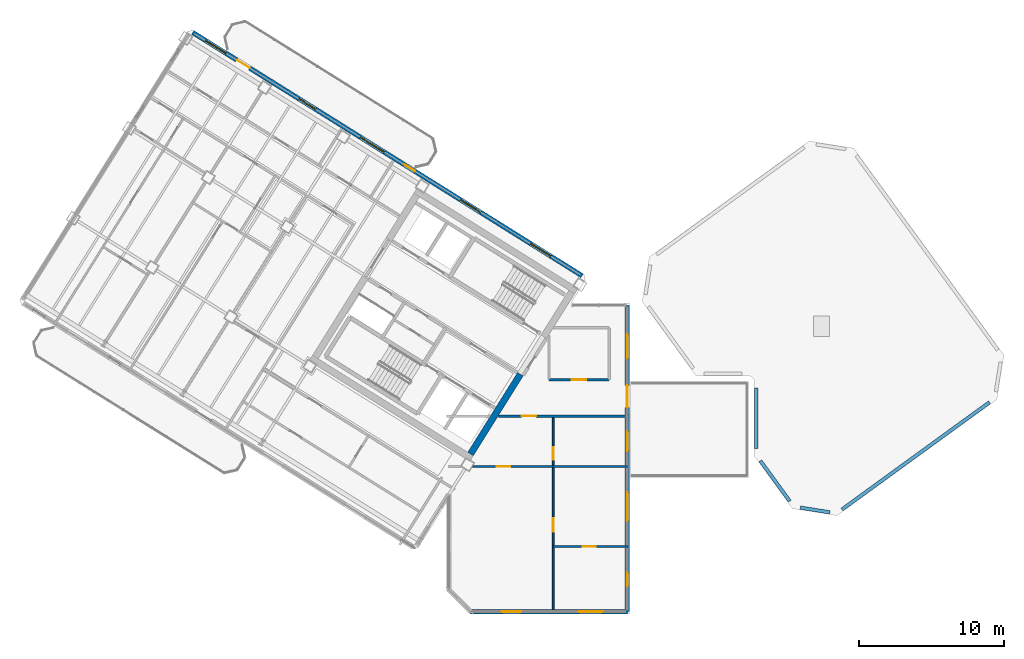
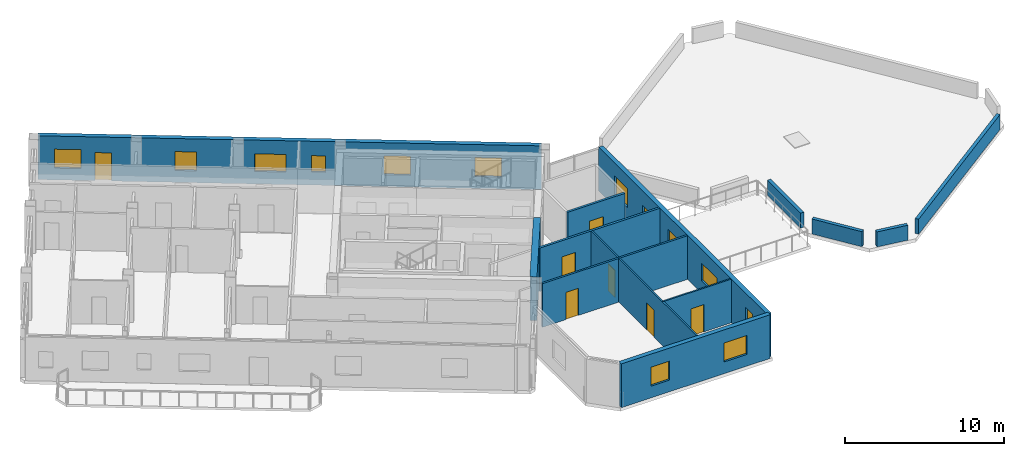
# One storey, part 7 of 14: 14 walls, 12 windows, 8 doors, 20 openings.
"""IFC4 building model written with IfcOpenShell, lengths in metres."""

from ifc_helpers import new_model, si_unit, direction, frame, frame_2d, origin, place, context, subcontext, project, spatial, rectangle, extrude, source, transform, mapped, material, layer, layer_set, type_object, element, fill, save


model = new_model("IFC4")

# Units and contexts
model_context = context("Model", 3, precision=1e-05, world=origin(), true_north=direction((0.0, 1.0)))
body_context = subcontext(model_context, "Body", "Model", "MODEL_VIEW")
ifc_project = project(units=[si_unit("LENGTHUNIT", "METRE"), si_unit("AREAUNIT", "SQUARE_METRE"), si_unit("VOLUMEUNIT", "CUBIC_METRE"), si_unit("PLANEANGLEUNIT", "RADIAN"), si_unit("MASSUNIT", "GRAM", prefix="KILO")], contexts=[model_context])

# Site, building, storey
site_placement = place(None, origin())
site = spatial("IfcSite", under=ifc_project, at=site_placement, CompositionType="ELEMENT")
building_placement = place(site_placement, origin())
building = spatial("IfcBuilding", under=site, at=building_placement, Name="Tlacorven Tower", CompositionType="ELEMENT")
storey_placement = place(building_placement, frame((0.0, 0.0, 262.800048828125)))
storey = spatial("IfcBuildingStorey", under=building, at=storey_placement, Name="L66", CompositionType="ELEMENT", Elevation=262.800048828125)

# Wall
ifc_material_1 = material(Name="Concrete C50/60", Category="concrete")
ifc_layer_1 = layer(ifc_material_1, 0.449951171875)
ifc_layer_set_1 = layer_set([ifc_layer_1], Name="Concrete C50/60")
wall_type_1 = type_object("IfcWallType", Name="WL-COR-450", PredefinedType="SHEAR", material=ifc_layer_set_1)
wall_1_placement = place(storey_placement, frame((36.683349609375, 18.30419921875, 0.0), z_axis=(0.0, 0.0, 1.0), x_axis=(-0.529904039071, -0.848057609704, 0.0)))
element("IfcWall", 1, at=wall_1_placement, inside=storey, type_object=wall_type_1, Name="L66 W core end wall E1.2", PredefinedType="SHEAR", context=body_context, shape_type="SweptSolid", body=[
    extrude(rectangle(XDim=6.47509765625, YDim=0.449951171875, at=frame_2d((3.237548828125, 0.0))), origin(), (0.0, 0.0, 1.0), 3.349853515625),
])

# Wall, opening, door
ifc_material_2 = material(Name="Gypsum plasterboard acoustic partition", Category="gypsum")
ifc_layer_2 = layer(ifc_material_2, 0.159912109375)
ifc_layer_set_2 = layer_set([ifc_layer_2], Name="Gypsum plasterboard acoustic partition")
wall_type_2 = type_object("IfcWallType", Name="WL-DEM-160", PredefinedType="PARTITIONING", material=ifc_layer_set_2)
wall_2_placement = place(storey_placement, frame((35.178466796875, 15.419921875, 0.0), z_axis=(0.0, 0.0, 1.0), x_axis=(1.0, 0.0, 0.0)))
wall_2 = element("IfcWall", 2, at=wall_2_placement, inside=storey, type_object=wall_type_2, Name="L66 Knuckle Corridor South Wall", PredefinedType="PARTITIONING", context=body_context, shape_type="SweptSolid", body=[
    extrude(rectangle(XDim=9.021484375, YDim=0.159912109375, at=frame_2d((4.5107421875, 0.0))), origin(), (0.0, 0.0, 1.0), 3.33984375),
])
opening_1_placement = place(wall_2_placement, frame((1.593505859375, 0.0, 0.0)))
opening_1 = element("IfcOpeningElement", 3, at=opening_1_placement, cuts=wall_2, Name="Opening D11", PredefinedType="OPENING", context=body_context, shape_type="SweptSolid", body=[
    extrude(rectangle(XDim=1.0, YDim=2.10009765625, at=frame_2d((0.5, 1.050048828125))), frame((0.0, 0.08984375, 0.0), z_axis=(0.0, -1.0, 0.0), x_axis=(1.0, 0.0, 0.0)), (0.0, 0.0, 1.0), 0.179931640625),
])
ifc_material_3 = material(Name="Fire-rated steel door assembly", Category="steel")
door_type_1 = type_object("IfcDoorType", Name="DR-FLT-FD60-1000", OperationType="NOTDEFINED", PredefinedType="DOOR", material=ifc_material_3)
shared_shape_1 = source(origin(), body_context, "Body", "SweptSolid", [
    extrude(rectangle(XDim=1.0, YDim=2.10009765625, at=frame_2d((0.5, 1.050048828125))), frame((0.0, 0.02490234375, 0.0), z_axis=(0.0, -1.0, 0.0), x_axis=(1.0, 0.0, 0.0)), (0.0, 0.0, 1.0), 0.050048828125),
])
door_1_placement = place(opening_1_placement, frame((1.0, 0.0, 0.0), z_axis=(0.0, 0.0, 1.0), x_axis=(-1.0, 0.0, 0.0)))
door_1 = element("IfcDoor", 4, at=door_1_placement, inside=storey, type_object=door_type_1, Name="L66 door 034", OperationType="SINGLE_SWING_LEFT", OverallHeight=2.10009765625, OverallWidth=1.0, PredefinedType="DOOR", context=body_context, shape_type="MappedRepresentation", body=[
    mapped(shared_shape_1, transform((0.0, 0.0, 0.0), scale=1.0)),
])
fill(opening_1, door_1)

wall_3_placement = place(storey_placement, frame((38.64990234375, 17.929931640625, 0.0), z_axis=(0.0, 0.0, 1.0), x_axis=(1.0, 0.0, 0.0)))
wall_3 = element("IfcWall", 5, at=wall_3_placement, inside=storey, type_object=wall_type_2, Name="L66 partition 45", PredefinedType="PARTITIONING", context=body_context, shape_type="SweptSolid", body=[
    extrude(rectangle(XDim=4.150146484375, YDim=0.159912109375, at=frame_2d((2.0751953125, 0.0))), origin(), (0.0, 0.0, 1.0), 3.33984375),
])
opening_2_placement = place(wall_3_placement, frame((1.574951171875, 0.0, 0.0)))
opening_2 = element("IfcOpeningElement", 6, at=opening_2_placement, cuts=wall_3, Name="Opening D11", PredefinedType="OPENING", context=body_context, shape_type="SweptSolid", body=[
    extrude(rectangle(XDim=1.0, YDim=2.10009765625, at=frame_2d((0.5, 1.050048828125))), frame((0.0, 0.08984375, 0.0), z_axis=(0.0, -1.0, 0.0), x_axis=(1.0, 0.0, 0.0)), (0.0, 0.0, 1.0), 0.179931640625),
])
door_2_placement = place(opening_2_placement, origin())
door_2 = element("IfcDoor", 7, at=door_2_placement, inside=storey, type_object=door_type_1, Name="L66 door 030", OperationType="SINGLE_SWING_RIGHT", OverallHeight=2.10009765625, OverallWidth=1.0, PredefinedType="DOOR", context=body_context, shape_type="MappedRepresentation", body=[
    mapped(shared_shape_1, transform((0.0, 0.0, 0.0), scale=1.0)),
])
fill(opening_2, door_2)

# Wall, openings, windows, door
ifc_material_4 = material(Name="Precast concrete C45/55", Category="concrete")
ifc_layer_3 = layer(ifc_material_4, 0.320068359375)
ifc_layer_set_3 = layer_set([ifc_layer_3], Name="Precast concrete C45/55")
wall_type_3 = type_object("IfcWallType", Name="WL-EXT-320", PredefinedType="STANDARD", material=ifc_layer_set_3)
wall_4_placement = place(storey_placement, frame((44.0400390625, 23.0400390625, 0.0), z_axis=(0.0, 0.0, 1.0), x_axis=(0.0, -1.0, 0.0)))
wall_4 = element("IfcWall", 8, at=wall_4_placement, inside=storey, type_object=wall_type_3, Name="L66 Masonry-Frame Recessed Facade Wall 1", PredefinedType="STANDARD", context=body_context, shape_type="SweptSolid", body=[
    extrude(rectangle(XDim=21.080078125, YDim=0.320068359375, at=frame_2d((10.5400390625, 0.0))), origin(), (0.0, 0.0, 1.0), 3.349853515625),
])
opening_3_placement = place(wall_4_placement, frame((5.510009765625, 0.0, 0.0)))
opening_3 = element("IfcOpeningElement", 9, at=opening_3_placement, cuts=wall_4, Name="Opening D04", PredefinedType="OPENING", context=body_context, shape_type="SweptSolid", body=[
    extrude(rectangle(XDim=1.5, YDim=2.25, at=frame_2d((0.75, 1.125))), frame((0.0, 0.169921875, 0.0), z_axis=(0.0, -1.0, 0.0), x_axis=(1.0, 0.0, 0.0)), (0.0, 0.0, 1.0), 0.340087890625),
])
opening_4_placement = place(wall_4_placement, frame((1.9951171875, 0.0, 0.89990234375)))
opening_4 = element("IfcOpeningElement", 10, at=opening_4_placement, cuts=wall_4, Name="Opening WN07", PredefinedType="OPENING", context=body_context, shape_type="SweptSolid", body=[
    extrude(rectangle(XDim=1.64990234375, YDim=1.449951171875, at=frame_2d((0.824951171875, 0.72509765625))), frame((0.0, 0.169921875, 0.0), z_axis=(0.0, -1.0, 0.0), x_axis=(1.0, 0.0, 0.0)), (0.0, 0.0, 1.0), 0.340087890625),
])
opening_5_placement = place(wall_4_placement, frame((8.68505859375, 0.0, 0.89990234375)))
opening_5 = element("IfcOpeningElement", 11, at=opening_5_placement, cuts=wall_4, Name="Opening WN08", PredefinedType="OPENING", context=body_context, shape_type="SweptSolid", body=[
    extrude(rectangle(XDim=1.35009765625, YDim=1.449951171875, at=frame_2d((0.675048828125, 0.72509765625))), frame((0.0, 0.169921875, 0.0), z_axis=(0.0, -1.0, 0.0), x_axis=(1.0, 0.0, 0.0)), (0.0, 0.0, 1.0), 0.340087890625),
])
opening_6_placement = place(wall_4_placement, frame((12.87255859375, 0.0, 0.949951171875)))
opening_6 = element("IfcOpeningElement", 12, at=opening_6_placement, cuts=wall_4, Name="Opening WN09", PredefinedType="OPENING", context=body_context, shape_type="SweptSolid", body=[
    extrude(rectangle(XDim=1.949951171875, YDim=1.35009765625, at=frame_2d((0.97509765625, 0.675048828125))), frame((0.0, 0.169921875, 0.0), z_axis=(0.0, -1.0, 0.0), x_axis=(1.0, 0.0, 0.0)), (0.0, 0.0, 1.0), 0.340087890625),
])
opening_7_placement = place(wall_4_placement, frame((18.41259765625, 0.0, 1.0)))
opening_7 = element("IfcOpeningElement", 13, at=opening_7_placement, cuts=wall_4, Name="Opening WN05", PredefinedType="OPENING", context=body_context, shape_type="SweptSolid", body=[
    extrude(rectangle(XDim=0.89990234375, YDim=1.25, at=frame_2d((0.449951171875, 0.625))), frame((0.0, 0.169921875, 0.0), z_axis=(0.0, -1.0, 0.0), x_axis=(1.0, 0.0, 0.0)), (0.0, 0.0, 1.0), 0.340087890625),
])
ifc_material_5 = material(Name="Dark solar low-E double glazing in anodised aluminium frame", Category="aluminium")
window_type_1 = type_object("IfcWindowType", Name="WN-APT-0900X1350", PartitioningType="SINGLE_PANEL", PredefinedType="WINDOW", material=ifc_material_5)
shared_shape_2 = source(origin(), body_context, "Body", "SweptSolid", [
    extrude(rectangle(XDim=0.89990234375, YDim=1.25, at=frame_2d((0.449951171875, 0.625))), frame((0.0, 0.030029296875, 0.0), z_axis=(0.0, -1.0, 0.0), x_axis=(1.0, 0.0, 0.0)), (0.0, 0.0, 1.0), 0.06005859375),
])
window_1_placement = place(opening_7_placement, origin())
window_1 = element("IfcWindow", 14, at=window_1_placement, inside=storey, type_object=window_type_1, Name="L66 Recessed Masonry-Frame Window L66-01.4", OverallHeight=1.25, OverallWidth=0.89990234375, PartitioningType="SINGLE_PANEL", PredefinedType="WINDOW", context=body_context, shape_type="MappedRepresentation", body=[
    mapped(shared_shape_2, transform((0.0, 0.0, 0.0), scale=1.0)),
])
fill(opening_7, window_1)
ifc_material_6 = material(Name="Powder-coated aluminium and timber door", Category="wood")
door_type_2 = type_object("IfcDoorType", Name="DR-EXT-TERR-1500", OperationType="DOUBLE_DOOR_SINGLE_SWING", PredefinedType="DOOR", material=ifc_material_6)
shared_shape_3 = source(origin(), body_context, "Body", "SweptSolid", [
    extrude(rectangle(XDim=1.5, YDim=2.25, at=frame_2d((0.75, 1.125))), frame((0.0, 0.02490234375, 0.0), z_axis=(0.0, -1.0, 0.0), x_axis=(1.0, 0.0, 0.0)), (0.0, 0.0, 1.0), 0.050048828125),
])
door_3_placement = place(opening_3_placement, origin())
door_3 = element("IfcDoor", 15, at=door_3_placement, inside=storey, type_object=door_type_2, Name="L66 Outdoor Access Door TER-L66-EW", OperationType="DOUBLE_DOOR_SINGLE_SWING", OverallHeight=2.25, OverallWidth=1.5, PredefinedType="DOOR", context=body_context, shape_type="MappedRepresentation", body=[
    mapped(shared_shape_3, transform((0.0, 0.0, 0.0), scale=1.0)),
])
fill(opening_3, door_3)
window_type_2 = type_object("IfcWindowType", Name="WN-APT-1650X1600", PartitioningType="SINGLE_PANEL", PredefinedType="WINDOW", material=ifc_material_5)
shared_shape_4 = source(origin(), body_context, "Body", "SweptSolid", [
    extrude(rectangle(XDim=1.64990234375, YDim=1.449951171875, at=frame_2d((0.824951171875, 0.72509765625))), frame((0.0, 0.030029296875, 0.0), z_axis=(0.0, -1.0, 0.0), x_axis=(1.0, 0.0, 0.0)), (0.0, 0.0, 1.0), 0.06005859375),
])
window_2_placement = place(opening_4_placement, origin())
window_2 = element("IfcWindow", 16, at=window_2_placement, inside=storey, type_object=window_type_2, Name="L66 Recessed Masonry-Frame Window L66-01.1", OverallHeight=1.449951171875, OverallWidth=1.64990234375, PartitioningType="SINGLE_PANEL", PredefinedType="WINDOW", context=body_context, shape_type="MappedRepresentation", body=[
    mapped(shared_shape_4, transform((0.0, 0.0, 0.0), scale=1.0)),
])
fill(opening_4, window_2)
window_type_3 = type_object("IfcWindowType", Name="WN-APT-1350X1550", PartitioningType="SINGLE_PANEL", PredefinedType="WINDOW", material=ifc_material_5)
shared_shape_5 = source(origin(), body_context, "Body", "SweptSolid", [
    extrude(rectangle(XDim=1.35009765625, YDim=1.449951171875, at=frame_2d((0.675048828125, 0.72509765625))), frame((0.0, 0.030029296875, 0.0), z_axis=(0.0, -1.0, 0.0), x_axis=(1.0, 0.0, 0.0)), (0.0, 0.0, 1.0), 0.06005859375),
])
window_3_placement = place(opening_5_placement, origin())
window_3 = element("IfcWindow", 17, at=window_3_placement, inside=storey, type_object=window_type_3, Name="L66 Recessed Masonry-Frame Window L66-01.2", OverallHeight=1.449951171875, OverallWidth=1.35009765625, PartitioningType="SINGLE_PANEL", PredefinedType="WINDOW", context=body_context, shape_type="MappedRepresentation", body=[
    mapped(shared_shape_5, transform((0.0, 0.0, 0.0), scale=1.0)),
])
fill(opening_5, window_3)
window_type_4 = type_object("IfcWindowType", Name="WN-GAL-1950X1450", PartitioningType="SINGLE_PANEL", PredefinedType="WINDOW", material=ifc_material_5)
shared_shape_6 = source(origin(), body_context, "Body", "SweptSolid", [
    extrude(rectangle(XDim=1.949951171875, YDim=1.35009765625, at=frame_2d((0.97509765625, 0.675048828125))), frame((0.0, 0.030029296875, 0.0), z_axis=(0.0, -1.0, 0.0), x_axis=(1.0, 0.0, 0.0)), (0.0, 0.0, 1.0), 0.06005859375),
])
window_4_placement = place(opening_6_placement, origin())
window_4 = element("IfcWindow", 18, at=window_4_placement, inside=storey, type_object=window_type_4, Name="L66 Recessed Masonry-Frame Window L66-01.3", OverallHeight=1.35009765625, OverallWidth=1.949951171875, PartitioningType="SINGLE_PANEL", PredefinedType="WINDOW", context=body_context, shape_type="MappedRepresentation", body=[
    mapped(shared_shape_6, transform((0.0, 0.0, 0.0), scale=1.0)),
])
fill(opening_6, window_4)

# Wall, openings, windows
wall_5_placement = place(storey_placement, frame((44.0400390625, 1.9599609375, 0.0), z_axis=(0.0, 0.0, 1.0), x_axis=(-1.0, 0.0, 0.0)))
wall_5 = element("IfcWall", 19, at=wall_5_placement, inside=storey, type_object=wall_type_3, Name="L66 Masonry-Frame Recessed Facade Wall 2", PredefinedType="STANDARD", context=body_context, shape_type="SweptSolid", body=[
    extrude(rectangle(XDim=10.773681640625, YDim=0.320068359375, at=frame_2d((5.38671875, 0.0))), origin(), (0.0, 0.0, 1.0), 3.349853515625),
])
opening_8_placement = place(wall_5_placement, frame((1.695556640625, 0.0, 0.89990234375)))
opening_8 = element("IfcOpeningElement", 20, at=opening_8_placement, cuts=wall_5, Name="Opening WN07", PredefinedType="OPENING", context=body_context, shape_type="SweptSolid", body=[
    extrude(rectangle(XDim=1.64990234375, YDim=1.449951171875, at=frame_2d((0.824951171875, 0.72509765625))), frame((0.0, 0.169921875, 0.0), z_axis=(0.0, -1.0, 0.0), x_axis=(1.0, 0.0, 0.0)), (0.0, 0.0, 1.0), 0.340087890625),
])
opening_9_placement = place(wall_5_placement, frame((7.287353515625, 0.0, 0.89990234375)))
opening_9 = element("IfcOpeningElement", 21, at=opening_9_placement, cuts=wall_5, Name="Opening WN08", PredefinedType="OPENING", context=body_context, shape_type="SweptSolid", body=[
    extrude(rectangle(XDim=1.35009765625, YDim=1.449951171875, at=frame_2d((0.675048828125, 0.72509765625))), frame((0.0, 0.169921875, 0.0), z_axis=(0.0, -1.0, 0.0), x_axis=(1.0, 0.0, 0.0)), (0.0, 0.0, 1.0), 0.340087890625),
])
window_5_placement = place(opening_8_placement, origin())
window_5 = element("IfcWindow", 22, at=window_5_placement, inside=storey, type_object=window_type_2, Name="L66 Recessed Masonry-Frame Window L66-02.1", OverallHeight=1.449951171875, OverallWidth=1.64990234375, PartitioningType="SINGLE_PANEL", PredefinedType="WINDOW", context=body_context, shape_type="MappedRepresentation", body=[
    mapped(shared_shape_4, transform((0.0, 0.0, 0.0), scale=1.0)),
])
fill(opening_8, window_5)
window_6_placement = place(opening_9_placement, origin())
window_6 = element("IfcWindow", 23, at=window_6_placement, inside=storey, type_object=window_type_3, Name="L66 Recessed Masonry-Frame Window L66-02.2", OverallHeight=1.449951171875, OverallWidth=1.35009765625, PartitioningType="SINGLE_PANEL", PredefinedType="WINDOW", context=body_context, shape_type="MappedRepresentation", body=[
    mapped(shared_shape_5, transform((0.0, 0.0, 0.0), scale=1.0)),
])
fill(opening_9, window_6)

# Wall, openings, door, windows
wall_6_placement = place(storey_placement, frame((14.13818359375, 41.825439453125, 0.0), z_axis=(0.0, 0.0, 1.0), x_axis=(0.848046498049, -0.529921821731, 0.0)))
wall_6 = element("IfcWall", 24, at=wall_6_placement, inside=storey, type_object=wall_type_3, Name="L66 Masonry-Frame Recessed Facade Wall 8", PredefinedType="STANDARD", context=body_context, shape_type="SweptSolid", body=[
    extrude(rectangle(XDim=31.587646484375, YDim=0.320068359375, at=frame_2d((15.7939453125, 0.0))), origin(), (0.0, 0.0, 1.0), 3.349853515625),
])
opening_10_placement = place(wall_6_placement, frame((3.568115234375, 0.0, 0.0)))
opening_10 = element("IfcOpeningElement", 25, at=opening_10_placement, cuts=wall_6, Name="Opening D06", PredefinedType="OPENING", context=body_context, shape_type="SweptSolid", body=[
    extrude(rectangle(XDim=1.050048828125, YDim=2.14990234375, at=frame_2d((0.52490234375, 1.074951171875))), frame((0.0, 0.169921875, 0.0), z_axis=(0.0, -1.0, 0.0), x_axis=(1.0, 0.0, 0.0)), (0.0, 0.0, 1.0), 0.340087890625),
])
opening_11_placement = place(wall_6_placement, frame((1.0458984375, 0.0, 0.89990234375)))
opening_11 = element("IfcOpeningElement", 26, at=opening_11_placement, cuts=wall_6, Name="Opening WN07", PredefinedType="OPENING", context=body_context, shape_type="SweptSolid", body=[
    extrude(rectangle(XDim=1.64990234375, YDim=1.449951171875, at=frame_2d((0.824951171875, 0.72509765625))), frame((0.0, 0.169921875, 0.0), z_axis=(0.0, -1.0, 0.0), x_axis=(1.0, 0.0, 0.0)), (0.0, 0.0, 1.0), 0.340087890625),
])
opening_12_placement = place(wall_6_placement, frame((8.610107421875, 0.0, 0.89990234375)))
opening_12 = element("IfcOpeningElement", 27, at=opening_12_placement, cuts=wall_6, Name="Opening WN08", PredefinedType="OPENING", context=body_context, shape_type="SweptSolid", body=[
    extrude(rectangle(XDim=1.35009765625, YDim=1.449951171875, at=frame_2d((0.675048828125, 0.72509765625))), frame((0.0, 0.169921875, 0.0), z_axis=(0.0, -1.0, 0.0), x_axis=(1.0, 0.0, 0.0)), (0.0, 0.0, 1.0), 0.340087890625),
])
opening_13_placement = place(wall_6_placement, frame((13.5986328125, 0.0, 0.949951171875)))
opening_13 = element("IfcOpeningElement", 28, at=opening_13_placement, cuts=wall_6, Name="Opening WN09", PredefinedType="OPENING", context=body_context, shape_type="SweptSolid", body=[
    extrude(rectangle(XDim=1.949951171875, YDim=1.35009765625, at=frame_2d((0.97509765625, 0.675048828125))), frame((0.0, 0.169921875, 0.0), z_axis=(0.0, -1.0, 0.0), x_axis=(1.0, 0.0, 0.0)), (0.0, 0.0, 1.0), 0.340087890625),
])
opening_14_placement = place(wall_6_placement, frame((17.15380859375, 0.0, 1.0)))
opening_14 = element("IfcOpeningElement", 29, at=opening_14_placement, cuts=wall_6, Name="Opening WN05", PredefinedType="OPENING", context=body_context, shape_type="SweptSolid", body=[
    extrude(rectangle(XDim=0.89990234375, YDim=1.25, at=frame_2d((0.449951171875, 0.625))), frame((0.0, 0.169921875, 0.0), z_axis=(0.0, -1.0, 0.0), x_axis=(1.0, 0.0, 0.0)), (0.0, 0.0, 1.0), 0.340087890625),
])
opening_15_placement = place(wall_6_placement, frame((21.71875, 0.0, 0.89990234375)))
opening_15 = element("IfcOpeningElement", 30, at=opening_15_placement, cuts=wall_6, Name="Opening WN07", PredefinedType="OPENING", context=body_context, shape_type="SweptSolid", body=[
    extrude(rectangle(XDim=1.64990234375, YDim=1.449951171875, at=frame_2d((0.824951171875, 0.72509765625))), frame((0.0, 0.169921875, 0.0), z_axis=(0.0, -1.0, 0.0), x_axis=(1.0, 0.0, 0.0)), (0.0, 0.0, 1.0), 0.340087890625),
])
opening_16_placement = place(wall_6_placement, frame((27.418701171875, 0.0, 0.89990234375)))
opening_16 = element("IfcOpeningElement", 31, at=opening_16_placement, cuts=wall_6, Name="Opening WN07", PredefinedType="OPENING", context=body_context, shape_type="SweptSolid", body=[
    extrude(rectangle(XDim=1.64990234375, YDim=1.449951171875, at=frame_2d((0.824951171875, 0.72509765625))), frame((0.0, 0.169921875, 0.0), z_axis=(0.0, -1.0, 0.0), x_axis=(1.0, 0.0, 0.0)), (0.0, 0.0, 1.0), 0.340087890625),
])
door_type_3 = type_object("IfcDoorType", Name="DR-EXT-BALC-1050", OperationType="NOTDEFINED", PredefinedType="DOOR", material=ifc_material_6)
shared_shape_7 = source(origin(), body_context, "Body", "SweptSolid", [
    extrude(rectangle(XDim=1.050048828125, YDim=2.14990234375, at=frame_2d((0.52490234375, 1.074951171875))), frame((0.0, 0.02490234375, 0.0), z_axis=(0.0, -1.0, 0.0), x_axis=(1.0, 0.0, 0.0)), (0.0, 0.0, 1.0), 0.050048828125),
])
door_4_placement = place(opening_10_placement, origin())
door_4 = element("IfcDoor", 32, at=door_4_placement, inside=storey, type_object=door_type_3, Name="L66 Outdoor Access Door BAL-L66-W-IN", OperationType="SINGLE_SWING_RIGHT", OverallHeight=2.14990234375, OverallWidth=1.050048828125, PredefinedType="DOOR", context=body_context, shape_type="MappedRepresentation", body=[
    mapped(shared_shape_7, transform((0.0, 0.0, 0.0), scale=1.0)),
])
fill(opening_10, door_4)
window_7_placement = place(opening_14_placement, origin())
window_7 = element("IfcWindow", 33, at=window_7_placement, inside=storey, type_object=window_type_1, Name="L66 Recessed Masonry-Frame Window L66-08.4", OverallHeight=1.25, OverallWidth=0.89990234375, PartitioningType="SINGLE_PANEL", PredefinedType="WINDOW", context=body_context, shape_type="MappedRepresentation", body=[
    mapped(shared_shape_2, transform((0.0, 0.0, 0.0), scale=1.0)),
])
fill(opening_14, window_7)
window_8_placement = place(opening_11_placement, origin())
window_8 = element("IfcWindow", 34, at=window_8_placement, inside=storey, type_object=window_type_2, Name="L66 Recessed Masonry-Frame Window L66-08.1", OverallHeight=1.449951171875, OverallWidth=1.64990234375, PartitioningType="SINGLE_PANEL", PredefinedType="WINDOW", context=body_context, shape_type="MappedRepresentation", body=[
    mapped(shared_shape_4, transform((0.0, 0.0, 0.0), scale=1.0)),
])
fill(opening_11, window_8)
window_9_placement = place(opening_15_placement, origin())
window_9 = element("IfcWindow", 35, at=window_9_placement, inside=storey, type_object=window_type_2, Name="L66 Recessed Masonry-Frame Window L66-08.5", OverallHeight=1.449951171875, OverallWidth=1.64990234375, PartitioningType="SINGLE_PANEL", PredefinedType="WINDOW", context=body_context, shape_type="MappedRepresentation", body=[
    mapped(shared_shape_4, transform((0.0, 0.0, 0.0), scale=1.0)),
])
fill(opening_15, window_9)
window_10_placement = place(opening_16_placement, origin())
window_10 = element("IfcWindow", 36, at=window_10_placement, inside=storey, type_object=window_type_2, Name="L66 Recessed Masonry-Frame Window L66-08.6", OverallHeight=1.449951171875, OverallWidth=1.64990234375, PartitioningType="SINGLE_PANEL", PredefinedType="WINDOW", context=body_context, shape_type="MappedRepresentation", body=[
    mapped(shared_shape_4, transform((0.0, 0.0, 0.0), scale=1.0)),
])
fill(opening_16, window_10)
window_11_placement = place(opening_12_placement, origin())
window_11 = element("IfcWindow", 37, at=window_11_placement, inside=storey, type_object=window_type_3, Name="L66 Recessed Masonry-Frame Window L66-08.2", OverallHeight=1.449951171875, OverallWidth=1.35009765625, PartitioningType="SINGLE_PANEL", PredefinedType="WINDOW", context=body_context, shape_type="MappedRepresentation", body=[
    mapped(shared_shape_5, transform((0.0, 0.0, 0.0), scale=1.0)),
])
fill(opening_12, window_11)
window_12_placement = place(opening_13_placement, origin())
window_12 = element("IfcWindow", 38, at=window_12_placement, inside=storey, type_object=window_type_4, Name="L66 Recessed Masonry-Frame Window L66-08.3", OverallHeight=1.35009765625, OverallWidth=1.949951171875, PartitioningType="SINGLE_PANEL", PredefinedType="WINDOW", context=body_context, shape_type="MappedRepresentation", body=[
    mapped(shared_shape_6, transform((0.0, 0.0, 0.0), scale=1.0)),
])
fill(opening_13, window_12)

# Wall, openings, doors
ifc_material_7 = material(Name="Gypsum plasterboard partition", Category="gypsum")
ifc_layer_4 = layer(ifc_material_7, 0.110107421875)
ifc_layer_set_4 = layer_set([ifc_layer_4], Name="Gypsum plasterboard partition")
wall_type_4 = type_object("IfcWallType", Name="WL-INT-110", PredefinedType="PARTITIONING", material=ifc_layer_set_4)
wall_7_placement = place(storey_placement, frame((38.944091796875, 1.9599609375, 0.0), z_axis=(0.0, 0.0, 1.0), x_axis=(0.0, 1.0, 0.0)))
wall_7 = element("IfcWall", 39, at=wall_7_placement, inside=storey, type_object=wall_type_4, Name="L66 partition 49", PredefinedType="PARTITIONING", context=body_context, shape_type="SweptSolid", body=[
    extrude(rectangle(XDim=13.4599609375, YDim=0.110107421875, at=frame_2d((6.72998046875, 0.0))), origin(), (0.0, 0.0, 1.0), 3.33984375),
])
opening_17_placement = place(wall_7_placement, frame((5.5, 0.0, 0.0)))
opening_17 = element("IfcOpeningElement", 40, at=opening_17_placement, cuts=wall_7, Name="Opening D12", PredefinedType="OPENING", context=body_context, shape_type="SweptSolid", body=[
    extrude(rectangle(XDim=0.919921875, YDim=2.080078125, at=frame_2d((0.4599609375, 1.0400390625))), frame((0.0, 0.06494140625, 0.0), z_axis=(0.0, -1.0, 0.0), x_axis=(1.0, 0.0, 0.0)), (0.0, 0.0, 1.0), 0.130126953125),
])
opening_18_placement = place(wall_7_placement, frame((10.449951171875, 0.0, 0.0)))
opening_18 = element("IfcOpeningElement", 41, at=opening_18_placement, cuts=wall_7, Name="Opening D13", PredefinedType="OPENING", context=body_context, shape_type="SweptSolid", body=[
    extrude(rectangle(XDim=0.8798828125, YDim=2.080078125, at=frame_2d((0.43994140625, 1.0400390625))), frame((0.0, 0.06494140625, 0.0), z_axis=(0.0, -1.0, 0.0), x_axis=(1.0, 0.0, 0.0)), (0.0, 0.0, 1.0), 0.130126953125),
])
door_type_4 = type_object("IfcDoorType", Name="DR-INT-WET-0880", OperationType="NOTDEFINED", PredefinedType="DOOR", material=ifc_material_6)
shared_shape_8 = source(origin(), body_context, "Body", "SweptSolid", [
    extrude(rectangle(XDim=0.8798828125, YDim=2.080078125, at=frame_2d((0.43994140625, 1.0400390625))), frame((0.0, 0.02490234375, 0.0), z_axis=(0.0, -1.0, 0.0), x_axis=(1.0, 0.0, 0.0)), (0.0, 0.0, 1.0), 0.050048828125),
])
door_5_placement = place(opening_18_placement, origin())
door_5 = element("IfcDoor", 42, at=door_5_placement, inside=storey, type_object=door_type_4, Name="L66 door 036", OperationType="SINGLE_SWING_LEFT", OverallHeight=2.080078125, OverallWidth=0.8798828125, PredefinedType="DOOR", context=body_context, shape_type="MappedRepresentation", body=[
    mapped(shared_shape_8, transform((0.0, 0.0, 0.0), scale=1.0)),
])
fill(opening_18, door_5)
door_type_5 = type_object("IfcDoorType", Name="DR-INT-ROOM-0920", OperationType="NOTDEFINED", PredefinedType="DOOR", material=ifc_material_6)
shared_shape_9 = source(origin(), body_context, "Body", "SweptSolid", [
    extrude(rectangle(XDim=0.919921875, YDim=2.080078125, at=frame_2d((0.4599609375, 1.0400390625))), frame((0.0, 0.02490234375, 0.0), z_axis=(0.0, -1.0, 0.0), x_axis=(1.0, 0.0, 0.0)), (0.0, 0.0, 1.0), 0.050048828125),
])
door_6_placement = place(opening_17_placement, origin())
door_6 = element("IfcDoor", 43, at=door_6_placement, inside=storey, type_object=door_type_5, Name="L66 door 032", OperationType="SINGLE_SWING_LEFT", OverallHeight=2.080078125, OverallWidth=0.919921875, PredefinedType="DOOR", context=body_context, shape_type="MappedRepresentation", body=[
    mapped(shared_shape_9, transform((0.0, 0.0, 0.0), scale=1.0)),
])
fill(opening_17, door_6)

# Wall, opening, door
wall_8_placement = place(storey_placement, frame((38.944091796875, 6.449951171875, 0.0), z_axis=(0.0, 0.0, 1.0), x_axis=(1.0, 0.0, 0.0)))
wall_8 = element("IfcWall", 44, at=wall_8_placement, inside=storey, type_object=wall_type_4, Name="L66 partition 52", PredefinedType="PARTITIONING", context=body_context, shape_type="SweptSolid", body=[
    extrude(rectangle(XDim=5.115966796875, YDim=0.110107421875, at=frame_2d((2.55810546875, 0.0))), origin(), (0.0, 0.0, 1.0), 3.33984375),
])
opening_19_placement = place(wall_8_placement, frame((2.01806640625, 0.0, 0.0)))
opening_19 = element("IfcOpeningElement", 45, at=opening_19_placement, cuts=wall_8, Name="Opening D12", PredefinedType="OPENING", context=body_context, shape_type="SweptSolid", body=[
    extrude(rectangle(XDim=0.919921875, YDim=2.080078125, at=frame_2d((0.4599609375, 1.0400390625))), frame((0.0, 0.06494140625, 0.0), z_axis=(0.0, -1.0, 0.0), x_axis=(1.0, 0.0, 0.0)), (0.0, 0.0, 1.0), 0.130126953125),
])
door_7_placement = place(opening_19_placement, origin())
door_7 = element("IfcDoor", 46, at=door_7_placement, inside=storey, type_object=door_type_5, Name="L66 door 033", OperationType="SINGLE_SWING_RIGHT", OverallHeight=2.080078125, OverallWidth=0.919921875, PredefinedType="DOOR", context=body_context, shape_type="MappedRepresentation", body=[
    mapped(shared_shape_9, transform((0.0, 0.0, 0.0), scale=1.0)),
])
fill(opening_19, door_7)

# Walls
ifc_layer_5 = layer(ifc_material_4, 0.239990234375)
ifc_layer_set_5 = layer_set([ifc_layer_5], Name="Precast concrete C45/55")
wall_type_5 = type_object("IfcWallType", Name="WL-PAR-240", PredefinedType="PARAPET", material=ifc_layer_set_5)
wall_9_placement = place(storey_placement, frame((52.929931640625, 13.179443359375, 0.0), z_axis=(0.0, 0.0, 1.0), x_axis=(0.0, 1.0, 0.0)))
element("IfcWall", 47, at=wall_9_placement, inside=storey, type_object=wall_type_5, Name="L66 East Wing Setback Parapet 1", PredefinedType="PARAPET", context=body_context, shape_type="SweptSolid", body=[
    extrude(rectangle(XDim=4.164306640625, YDim=0.239990234375, at=frame_2d((2.08203125, 0.0))), origin(), (0.0, 0.0, 1.0), 1.14990234375),
])
wall_10_placement = place(storey_placement, frame((68.97412109375, 16.37353515625, 0.0), z_axis=(0.0, 0.0, 1.0), x_axis=(-0.809012633907, -0.587791253915, 0.0)))
element("IfcWall", 48, at=wall_10_placement, inside=storey, type_object=wall_type_5, Name="L66 East Wing Setback Parapet 9", PredefinedType="PARAPET", context=body_context, shape_type="SweptSolid", body=[
    extrude(rectangle(XDim=12.5556640625, YDim=0.239990234375, at=frame_2d((6.27783203125, 0.0))), origin(), (0.0, 0.0, 1.0), 1.14990234375),
])
wall_11_placement = place(storey_placement, frame((57.989990234375, 8.795166015625, 0.0), z_axis=(0.0, 0.0, 1.0), x_axis=(-0.987695834598, 0.156387142431, 0.0)))
element("IfcWall", 49, at=wall_11_placement, inside=storey, type_object=wall_type_5, Name="L66 East Wing Setback Parapet 10", PredefinedType="PARAPET", context=body_context, shape_type="SweptSolid", body=[
    extrude(rectangle(XDim=2.06689453125, YDim=0.239990234375, at=frame_2d((1.033447265625, 0.0))), origin(), (0.0, 0.0, 1.0), 1.14990234375),
])
wall_12_placement = place(storey_placement, frame((55.2236328125, 9.5625, 0.0), z_axis=(0.0, 0.0, 1.0), x_axis=(-0.587754121209, 0.809039611516, 0.0)))
element("IfcWall", 50, at=wall_12_placement, inside=storey, type_object=wall_type_5, Name="L66 East Wing Setback Parapet 11", PredefinedType="PARAPET", context=body_context, shape_type="SweptSolid", body=[
    extrude(rectangle(XDim=3.442138671875, YDim=0.239990234375, at=frame_2d((1.72119140625, 0.0))), origin(), (0.0, 0.0, 1.0), 1.14990234375),
])

# Wall, opening, door
ifc_material_8 = material(Name="Moisture-resistant gypsum plumbing wall", Category="gypsum")
ifc_layer_6 = layer(ifc_material_8, 0.139892578125)
ifc_layer_set_6 = layer_set([ifc_layer_6], Name="Moisture-resistant gypsum plumbing wall")
wall_type_6 = type_object("IfcWallType", Name="WL-PLM-140", PredefinedType="PLUMBINGWALL", material=ifc_layer_set_6)
wall_13_placement = place(storey_placement, frame((33.387451171875, 11.949951171875, 0.0), z_axis=(0.0, 0.0, 1.0), x_axis=(1.0, 0.0, 0.0)))
wall_13 = element("IfcWall", 51, at=wall_13_placement, inside=storey, type_object=wall_type_6, Name="L66 partition 50", PredefinedType="PLUMBINGWALL", context=body_context, shape_type="SweptSolid", body=[
    extrude(rectangle(XDim=5.556640625, YDim=0.139892578125, at=frame_2d((2.7783203125, 0.0))), origin(), (0.0, 0.0, 1.0), 3.33984375),
])
opening_20_placement = place(wall_13_placement, frame((1.674560546875, 0.0, 0.0)))
opening_20 = element("IfcOpeningElement", 52, at=opening_20_placement, cuts=wall_13, Name="Opening D12", PredefinedType="OPENING", context=body_context, shape_type="SweptSolid", body=[
    extrude(rectangle(XDim=0.919921875, YDim=2.080078125, at=frame_2d((0.4599609375, 1.0400390625))), frame((0.0, 0.080078125, 0.0), z_axis=(0.0, -1.0, 0.0), x_axis=(1.0, 0.0, 0.0)), (0.0, 0.0, 1.0), 0.159912109375),
])
door_8_placement = place(opening_20_placement, frame((0.919921875, 0.0, 0.0), z_axis=(0.0, 0.0, 1.0), x_axis=(-1.0, 0.0, 0.0)))
door_8 = element("IfcDoor", 53, at=door_8_placement, inside=storey, type_object=door_type_5, Name="L66 door 035", OperationType="SINGLE_SWING_RIGHT", OverallHeight=2.080078125, OverallWidth=0.919921875, PredefinedType="DOOR", context=body_context, shape_type="MappedRepresentation", body=[
    mapped(shared_shape_9, transform((0.0, 0.0, 0.0), scale=1.0)),
])
fill(opening_20, door_8)

# Wall
wall_14_placement = place(storey_placement, frame((38.944091796875, 11.949951171875, 0.0), z_axis=(0.0, 0.0, 1.0), x_axis=(1.0, 0.0, 0.0)))
element("IfcWall", 54, at=wall_14_placement, inside=storey, type_object=wall_type_6, Name="L66 partition 51", PredefinedType="PLUMBINGWALL", context=body_context, shape_type="SweptSolid", body=[
    extrude(rectangle(XDim=5.115966796875, YDim=0.139892578125, at=frame_2d((2.55810546875, 0.0))), origin(), (0.0, 0.0, 1.0), 3.33984375),
])

save(model, "model.ifc")
